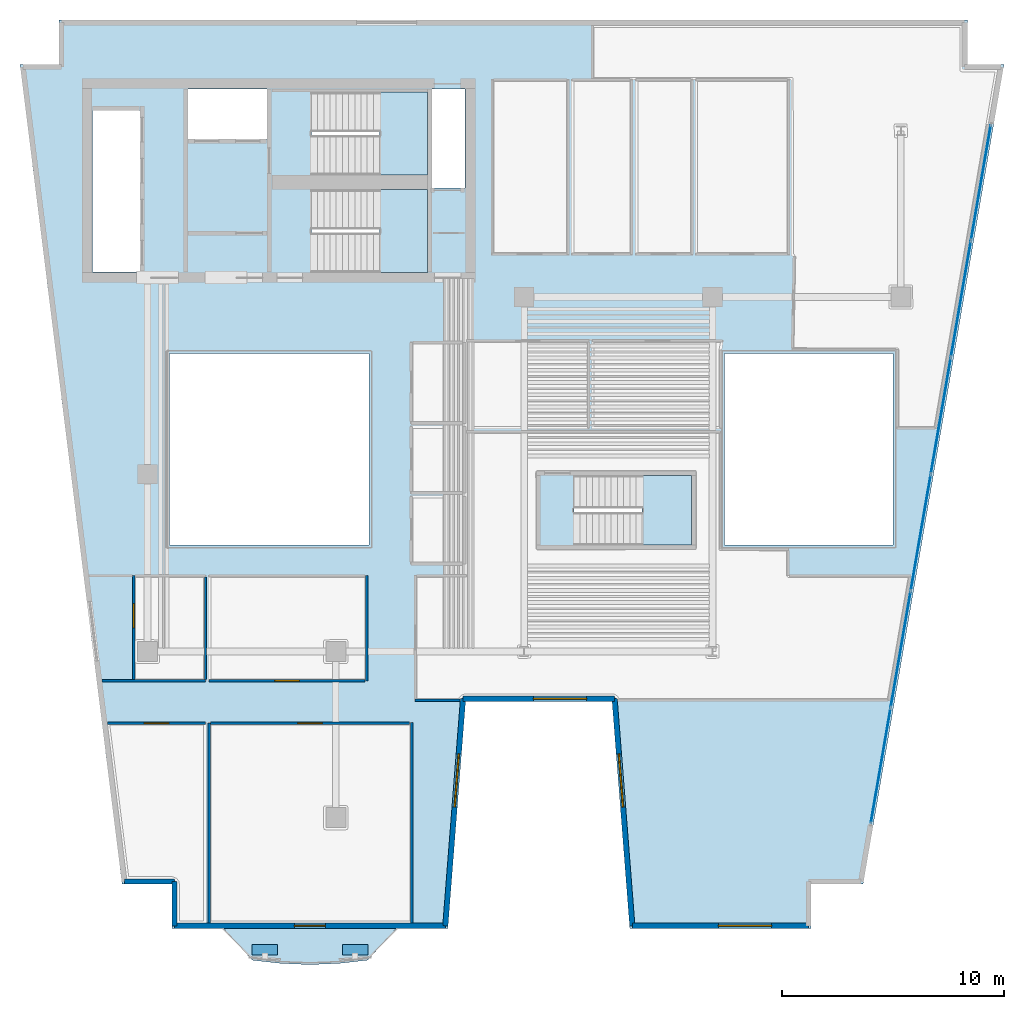
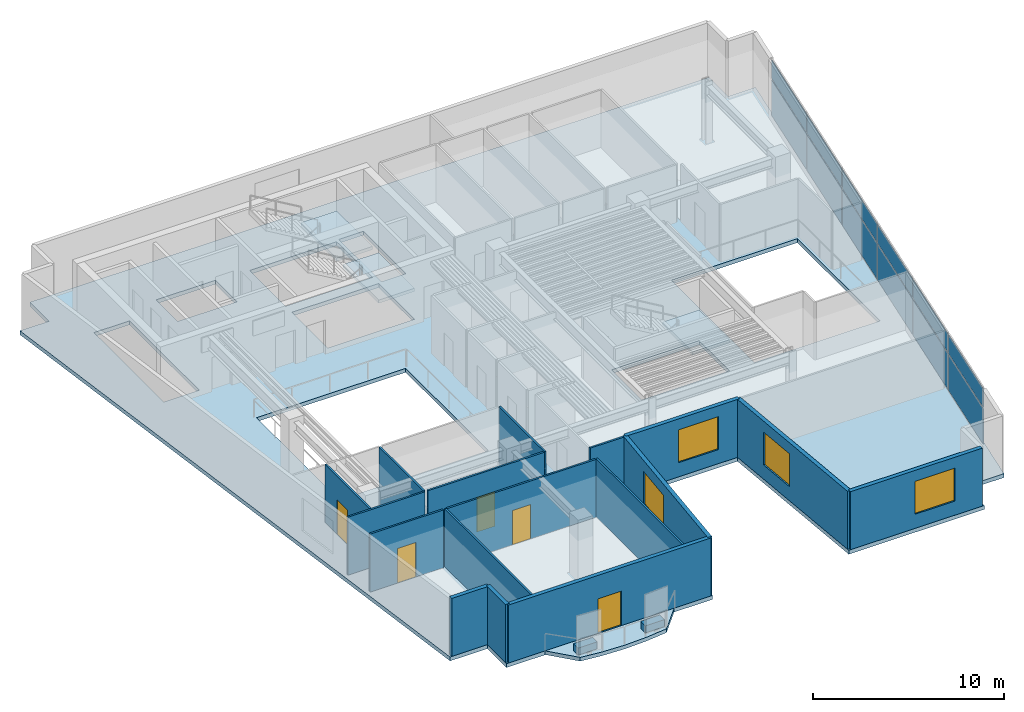
# One storey, part 3 of 9: 17 walls, 14 plates, 5 doors, 5 slabs, 4 windows, 9 openings, 4 elements without a shape of their own.
"""IFC4 building model written with IfcOpenShell, lengths in metres."""

from ifc_helpers import new_model, si_unit, direction, frame, frame_2d, origin, origin_2d, place, context, subcontext, project, spatial, polyline, rectangle, outline, extrude, material, layer, layer_set, type_object, element, fill, aggregate, save


model = new_model("IFC4")

# Units and contexts
model_context = context("Model", 3, precision=1e-05, world=origin(), true_north=direction((0.0, 1.0)))
body_context = subcontext(model_context, "Body", "Model", "MODEL_VIEW")
ifc_project = project(units=[si_unit("LENGTHUNIT", "METRE"), si_unit("AREAUNIT", "SQUARE_METRE"), si_unit("VOLUMEUNIT", "CUBIC_METRE"), si_unit("PLANEANGLEUNIT", "RADIAN"), si_unit("MASSUNIT", "GRAM", prefix="KILO")], contexts=[model_context])

# Site, building, storey
site_placement = place(None, origin())
site = spatial("IfcSite", under=ifc_project, at=site_placement, CompositionType="ELEMENT")
building_placement = place(site_placement, origin())
building = spatial("IfcBuilding", under=site, at=building_placement, Name="Caeloran Harvest Quay", CompositionType="ELEMENT")
storey_placement = place(building_placement, frame((0.0, 0.0, 211.39990234375)))
storey = spatial("IfcBuildingStorey", under=building, at=storey_placement, Name="L50", CompositionType="ELEMENT", Elevation=211.39990234375)

# Slab
ifc_material_1 = material(Name="Concrete C50/60", Category="concrete")
ifc_layer_1 = layer(ifc_material_1, 0.239990234375, Name="Concrete C50/60")
ifc_layer_set_1 = layer_set([ifc_layer_1], Name="Concrete C50/60")
slab_type_1 = type_object("IfcSlabType", Name="BALCONY-BL-240", PredefinedType="FLOOR", material=ifc_layer_set_1)
slab_1_placement = place(storey_placement, frame((0.0, 0.0, -0.239990234375)))
element("IfcSlab", 1, at=slab_1_placement, inside=storey, type_object=slab_type_1, Name="L50 Scalloped Cantilevered Planted Balcony Slab", PredefinedType="FLOOR", context=body_context, shape_type="SweptSolid", body=[
    extrude(outline(polyline([(18.442138671875, 1.070068359375), (17.13818359375, 0.923583984375), (15.83447265625, 0.8701171875), (14.53076171875, 0.923583984375), (13.226806640625, 1.070068359375), (11.94091796875, 2.5), (19.72802734375, 2.5), (18.442138671875, 1.070068359375)])), origin(), (0.0, 0.0, 1.0), 0.239990234375),
])

# Curtain wall, plates
ifc_material_2 = material(Name="Aluminium 6063-T6 and Low-E Glazing", Category="aluminium")
ifc_layer_2 = layer(ifc_material_2, 0.2099609375, Name="Aluminium 6063-T6 and Low-E Glazing")
ifc_layer_set_2 = layer_set([ifc_layer_2], Name="Aluminium 6063-T6 and Low-E Glazing")
curtain_wall_type = type_object("IfcCurtainWallType", Name="CW-SYS-CW-4", PredefinedType="USERDEFINED", material=ifc_layer_set_2)
curtain_wall_placement = place(storey_placement, origin())
curtain_wall = element("IfcCurtainWall", 2, at=curtain_wall_placement, inside=storey, type_object=curtain_wall_type, Name="L50 Unitised Curtain Wall CW-4 Run 9", ObjectType="CURTAIN_WALL", PredefinedType="USERDEFINED")
ifc_material_3 = material(Name="Low-E Double Glazed Vision Glass Unit", Category="glass")
ifc_layer_3 = layer(ifc_material_3, 0.035888671875, Name="Low-E Double Glazed Vision Glass Unit")
ifc_layer_set_3 = layer_set([ifc_layer_3], Name="Low-E Double Glazed Vision Glass Unit")
plate_type_1 = type_object("IfcPlateType", Name="CW-VISION-PANEL", PredefinedType="CURTAIN_PANEL", material=ifc_layer_set_3)
plate_1_placement = place(storey_placement, frame((46.116943359375, 36.16162109375, 0.080078125), z_axis=(0.0, 0.0, 1.0), x_axis=(-0.169391215605, -0.985548890759, 0.0)))
plate_1 = element("IfcPlate", 3, at=plate_1_placement, type_object=plate_type_1, Name="CW-4 panel 1.1", PredefinedType="CURTAIN_PANEL", context=body_context, shape_type="SweptSolid", body=[
    extrude(rectangle(XDim=5.229736328125, YDim=0.035888671875, at=origin_2d()), origin(), (0.0, 0.0, 1.0), 2.280029296875),
])
plate_2_placement = place(storey_placement, frame((46.116943359375, 36.16162109375, 2.43994140625), z_axis=(0.0, 0.0, 1.0), x_axis=(-0.169391215605, -0.985548890759, 0.0)))
plate_2 = element("IfcPlate", 4, at=plate_2_placement, type_object=plate_type_1, Name="CW-4 panel 1.2", PredefinedType="CURTAIN_PANEL", context=body_context, shape_type="SweptSolid", body=[
    extrude(rectangle(XDim=5.229736328125, YDim=0.035888671875, at=origin_2d()), origin(), (0.0, 0.0, 1.0), 1.179931640625),
])
plate_3_placement = place(storey_placement, frame((45.214111328125, 30.90869140625, 0.080078125), z_axis=(0.0, 0.0, 1.0), x_axis=(-0.169391215605, -0.985548890759, 0.0)))
plate_3 = element("IfcPlate", 5, at=plate_3_placement, type_object=plate_type_1, Name="CW-4 panel 2.1", PredefinedType="CURTAIN_PANEL", context=body_context, shape_type="SweptSolid", body=[
    extrude(rectangle(XDim=5.269775390625, YDim=0.035888671875, at=origin_2d()), origin(), (0.0, 0.0, 1.0), 2.280029296875),
])
plate_4_placement = place(storey_placement, frame((45.214111328125, 30.90869140625, 2.43994140625), z_axis=(0.0, 0.0, 1.0), x_axis=(-0.169391215605, -0.985548890759, 0.0)))
plate_4 = element("IfcPlate", 6, at=plate_4_placement, type_object=plate_type_1, Name="CW-4 panel 2.2", PredefinedType="CURTAIN_PANEL", context=body_context, shape_type="SweptSolid", body=[
    extrude(rectangle(XDim=5.269775390625, YDim=0.035888671875, at=origin_2d()), origin(), (0.0, 0.0, 1.0), 1.179931640625),
])
plate_5_placement = place(storey_placement, frame((44.307861328125, 25.63623046875, 0.080078125), z_axis=(0.0, 0.0, 1.0), x_axis=(-0.169391215605, -0.985548890759, 0.0)))
plate_5 = element("IfcPlate", 7, at=plate_5_placement, type_object=plate_type_1, Name="CW-4 panel 3.1", PredefinedType="CURTAIN_PANEL", context=body_context, shape_type="SweptSolid", body=[
    extrude(rectangle(XDim=5.269775390625, YDim=0.035888671875, at=origin_2d()), origin(), (0.0, 0.0, 1.0), 2.280029296875),
])
plate_6_placement = place(storey_placement, frame((44.307861328125, 25.63623046875, 2.43994140625), z_axis=(0.0, 0.0, 1.0), x_axis=(-0.169391215605, -0.985548890759, 0.0)))
plate_6 = element("IfcPlate", 8, at=plate_6_placement, type_object=plate_type_1, Name="CW-4 panel 3.2", PredefinedType="CURTAIN_PANEL", context=body_context, shape_type="SweptSolid", body=[
    extrude(rectangle(XDim=5.269775390625, YDim=0.035888671875, at=origin_2d()), origin(), (0.0, 0.0, 1.0), 1.179931640625),
])
plate_7_placement = place(storey_placement, frame((43.401611328125, 20.36376953125, 0.080078125), z_axis=(0.0, 0.0, 1.0), x_axis=(-0.169391215605, -0.985548890759, 0.0)))
plate_7 = element("IfcPlate", 9, at=plate_7_placement, type_object=plate_type_1, Name="CW-4 panel 4.1", PredefinedType="CURTAIN_PANEL", context=body_context, shape_type="SweptSolid", body=[
    extrude(rectangle(XDim=5.269775390625, YDim=0.035888671875, at=origin_2d()), origin(), (0.0, 0.0, 1.0), 2.280029296875),
])
plate_8_placement = place(storey_placement, frame((43.401611328125, 20.36376953125, 2.43994140625), z_axis=(0.0, 0.0, 1.0), x_axis=(-0.169391215605, -0.985548890759, 0.0)))
plate_8 = element("IfcPlate", 10, at=plate_8_placement, type_object=plate_type_1, Name="CW-4 panel 4.2", PredefinedType="CURTAIN_PANEL", context=body_context, shape_type="SweptSolid", body=[
    extrude(rectangle(XDim=5.269775390625, YDim=0.035888671875, at=origin_2d()), origin(), (0.0, 0.0, 1.0), 1.179931640625),
])
plate_9_placement = place(storey_placement, frame((42.495361328125, 15.09130859375, 0.080078125), z_axis=(0.0, 0.0, 1.0), x_axis=(-0.169391215605, -0.985548890759, 0.0)))
plate_9 = element("IfcPlate", 11, at=plate_9_placement, type_object=plate_type_1, Name="CW-4 panel 5.1", PredefinedType="CURTAIN_PANEL", context=body_context, shape_type="SweptSolid", body=[
    extrude(rectangle(XDim=5.269775390625, YDim=0.035888671875, at=origin_2d()), origin(), (0.0, 0.0, 1.0), 2.280029296875),
])
plate_10_placement = place(storey_placement, frame((42.495361328125, 15.09130859375, 2.43994140625), z_axis=(0.0, 0.0, 1.0), x_axis=(-0.169391215605, -0.985548890759, 0.0)))
plate_10 = element("IfcPlate", 12, at=plate_10_placement, type_object=plate_type_1, Name="CW-4 panel 5.2", PredefinedType="CURTAIN_PANEL", context=body_context, shape_type="SweptSolid", body=[
    extrude(rectangle(XDim=5.269775390625, YDim=0.035888671875, at=origin_2d()), origin(), (0.0, 0.0, 1.0), 1.179931640625),
])
plate_11_placement = place(storey_placement, frame((41.592529296875, 9.83837890625, 0.080078125), z_axis=(0.0, 0.0, 1.0), x_axis=(-0.169391215605, -0.985548890759, 0.0)))
plate_11 = element("IfcPlate", 13, at=plate_11_placement, type_object=plate_type_1, Name="CW-4 panel 6.1", PredefinedType="CURTAIN_PANEL", context=body_context, shape_type="SweptSolid", body=[
    extrude(rectangle(XDim=5.229736328125, YDim=0.035888671875, at=origin_2d()), origin(), (0.0, 0.0, 1.0), 2.280029296875),
])
plate_12_placement = place(storey_placement, frame((41.592529296875, 9.83837890625, 2.43994140625), z_axis=(0.0, 0.0, 1.0), x_axis=(-0.169391215605, -0.985548890759, 0.0)))
plate_12 = element("IfcPlate", 14, at=plate_12_placement, type_object=plate_type_1, Name="CW-4 panel 6.2", PredefinedType="CURTAIN_PANEL", context=body_context, shape_type="SweptSolid", body=[
    extrude(rectangle(XDim=5.229736328125, YDim=0.035888671875, at=origin_2d()), origin(), (0.0, 0.0, 1.0), 1.179931640625),
])
aggregate(curtain_wall, [plate_1, plate_2, plate_3, plate_4, plate_5, plate_6, plate_7, plate_8, plate_9, plate_10, plate_11, plate_12])

# Plates
ifc_material_4 = material(Name="Precast concrete C50/60", Category="concrete")
ifc_layer_4 = layer(ifc_material_4, 0.449951171875, Name="Precast concrete C50/60")
ifc_layer_set_4 = layer_set([ifc_layer_4], Name="Precast concrete C50/60")
plate_type_2 = type_object("IfcPlateType", Name="PLANTER-TROUGH-450", PredefinedType="USERDEFINED", material=ifc_layer_set_4)
for number, where, z_axis, x_axis, name in (
    (15, (17.868408203125, 1.534912109375, 0.0), (0.0, 0.0, 1.0), (1.0, 0.0, 0.0), "L50 Balcony Vertical-Greenery Precast PLANTER Trough 1"),
    (16, (13.800537109375, 1.534912109375, 0.0), (0.0, 0.0, 1.0), (1.0, 0.0, 0.0), "L50 Balcony Vertical-Greenery Precast PLANTER Trough 2"),
):
    element("IfcPlate", number, at=place(storey_placement, frame(where, z_axis=z_axis, x_axis=x_axis)), inside=storey, type_object=plate_type_2, Name=name, ObjectType="PLANTER", PredefinedType="USERDEFINED", context=body_context, shape_type="SweptSolid", body=[
        extrude(rectangle(XDim=1.14990234375, YDim=0.47998046875, at=origin_2d()), origin(), (0.0, 0.0, 1.0), 0.449951171875),
    ])

# Slab
ifc_layer_5 = layer(ifc_material_1, 0.25, Name="Concrete C50/60")
ifc_layer_set_5 = layer_set([ifc_layer_5], Name="Concrete C50/60")
slab_type_2 = type_object("IfcSlabType", Name="SLAB-FS-250", PredefinedType="FLOOR", material=ifc_layer_set_5)
slab_2_placement = place(storey_placement, frame((0.0, 0.0, -0.25)))
element("IfcSlab", 17, at=slab_2_placement, inside=storey, type_object=slab_type_2, Name="L50 Structural Floor Slab", PredefinedType="FLOOR", context=body_context, shape_type="SweptSolid", body=[
    extrude(outline(polyline([(9.60302734375, 2.5), (22.056884765625, 2.5), (22.85693359375, 12.75), (29.469482421875, 12.75), (30.26953125, 2.5), (38.452880859375, 2.5), (38.452880859375, 4.5), (40.796875, 4.5), (47.15625, 41.5), (45.5, 41.5), (45.5, 43.5), (4.5, 43.5), (4.5, 41.5), (2.748779296875, 41.5), (7.35400390625, 4.5), (9.60302734375, 4.5), (9.60302734375, 2.5)]), holes=[polyline([(27.75, 19.800048828125), (27.75, 22.949951171875), (33.050048828125, 22.949951171875), (33.050048828125, 19.800048828125), (27.75, 19.800048828125)]), polyline([(18.5, 19.800048828125), (9.5, 19.800048828125), (9.5, 28.449951171875), (18.5, 28.449951171875), (18.5, 19.800048828125)]), polyline([(42.14990234375, 19.800048828125), (34.550048828125, 19.800048828125), (34.550048828125, 28.449951171875), (42.14990234375, 28.449951171875), (42.14990234375, 19.800048828125)]), polyline([(15.89990234375, 32.10009765625), (15.89990234375, 35.85009765625), (21.14990234375, 35.85009765625), (21.14990234375, 32.10009765625), (15.89990234375, 32.10009765625)]), polyline([(8.159912109375, 32.1201171875), (6.02001953125, 32.1201171875), (6.02001953125, 39.419921875), (8.159912109375, 39.419921875), (8.159912109375, 32.1201171875)]), polyline([(22.830078125, 35.919921875), (21.35009765625, 35.919921875), (21.35009765625, 40.3798828125), (22.830078125, 40.3798828125), (22.830078125, 35.919921875)]), polyline([(15.89990234375, 36.5), (15.89990234375, 40.25), (21.14990234375, 40.25), (21.14990234375, 36.5), (15.89990234375, 36.5)]), polyline([(13.89990234375, 38.1201171875), (10.320068359375, 38.1201171875), (10.320068359375, 40.3798828125), (13.89990234375, 40.3798828125), (13.89990234375, 38.1201171875)])]), origin(), (0.0, 0.0, 1.0), 0.25),
])

# Stair, slab
stair_type_1 = type_object("IfcStairType", Name="STAIR-STC-180", PredefinedType="HALF_TURN_STAIR", material=ifc_material_1)
stair_1_placement = place(storey_placement, origin())
stair_1 = element("IfcStair", 18, at=stair_1_placement, inside=storey, type_object=stair_type_1, Name="L50 Core Pressurized Exit Stair ST-C1", PredefinedType="HALF_TURN_STAIR")
ifc_layer_6 = layer(ifc_material_1, 0.219970703125, Name="Concrete C50/60")
ifc_layer_set_6 = layer_set([ifc_layer_6], Name="Concrete C50/60")
slab_type_3 = type_object("IfcSlabType", Name="STAIR-LANDING-220", PredefinedType="LANDING", material=ifc_layer_set_6)
slab_3_placement = place(storey_placement, frame((0.0, 0.0, 1.775146484375)))
slab_3 = element("IfcSlab", 19, at=slab_3_placement, type_object=slab_type_3, Name="ST-C1 landing 1", PredefinedType="LANDING", context=body_context, shape_type="SweptSolid", body=[
    extrude(outline(polyline([(18.97998046875, 36.5), (21.14990234375, 36.5), (21.14990234375, 40.25), (18.97998046875, 40.25), (18.97998046875, 36.5)])), origin(), (0.0, 0.0, 1.0), 0.199951171875),
])
aggregate(stair_1, [slab_3])

stair_2_placement = place(storey_placement, origin())
stair_2 = element("IfcStair", 20, at=stair_2_placement, inside=storey, type_object=stair_type_1, Name="L50 Core Pressurized Exit Stair ST-C2", PredefinedType="HALF_TURN_STAIR")
slab_4_placement = place(storey_placement, frame((0.0, 0.0, 1.775146484375)))
slab_4 = element("IfcSlab", 21, at=slab_4_placement, type_object=slab_type_3, Name="ST-C2 landing 1", PredefinedType="LANDING", context=body_context, shape_type="SweptSolid", body=[
    extrude(outline(polyline([(18.97998046875, 32.10009765625), (21.14990234375, 32.10009765625), (21.14990234375, 35.85009765625), (18.97998046875, 35.85009765625), (18.97998046875, 32.10009765625)])), origin(), (0.0, 0.0, 1.0), 0.199951171875),
])
aggregate(stair_2, [slab_4])

stair_type_2 = type_object("IfcStairType", Name="STAIR-STW-150", PredefinedType="HALF_TURN_STAIR", material=ifc_material_1)
stair_3_placement = place(storey_placement, origin())
stair_3 = element("IfcStair", 22, at=stair_3_placement, inside=storey, type_object=stair_type_2, Name="L50 East Wing Protected Exit Stair ST-W1", PredefinedType="HALF_TURN_STAIR")
slab_5_placement = place(storey_placement, frame((0.0, 0.0, 1.775146484375)))
slab_5 = element("IfcSlab", 23, at=slab_5_placement, type_object=slab_type_3, Name="ST-W1 landing 1", PredefinedType="LANDING", context=body_context, shape_type="SweptSolid", body=[
    extrude(outline(polyline([(30.830078125, 19.800048828125), (33.050048828125, 19.800048828125), (33.050048828125, 22.949951171875), (30.830078125, 22.949951171875), (30.830078125, 19.800048828125)])), origin(), (0.0, 0.0, 1.0), 0.199951171875),
])
aggregate(stair_3, [slab_5])

# Walls
ifc_layer_7 = layer(ifc_material_4, 0.239990234375, Name="Precast concrete C50/60")
ifc_layer_set_7 = layer_set([ifc_layer_7], Name="Precast concrete C50/60")
wall_type_1 = type_object("IfcWallType", Name="ENV-WALL-EW-240", PredefinedType="STANDARD", material=ifc_layer_set_7)
wall_1_placement = place(storey_placement, frame((9.722900390625, 2.6201171875, 0.0), z_axis=(0.0, 0.0, 1.0), x_axis=(0.0, 1.0, 0.0)))
element("IfcWall", 24, at=wall_1_placement, inside=storey, type_object=wall_type_1, Name="L50 Exterior Precast Concrete Facade Wall 1", PredefinedType="STANDARD", context=body_context, shape_type="SweptSolid", body=[
    extrude(rectangle(XDim=2.0, YDim=0.239990234375, at=frame_2d((1.0, 0.0))), origin(), (0.0, 0.0, 1.0), 3.7001953125),
])
wall_2_placement = place(storey_placement, frame((9.722900390625, 4.6201171875, 0.0), z_axis=(0.0, 0.0, 1.0), x_axis=(-1.0, 0.0, 0.0)))
element("IfcWall", 25, at=wall_2_placement, inside=storey, type_object=wall_type_1, Name="L50 Exterior Precast Concrete Facade Wall 2", PredefinedType="STANDARD", context=body_context, shape_type="SweptSolid", body=[
    extrude(rectangle(XDim=2.2626953125, YDim=0.239990234375, at=frame_2d((1.13134765625, 0.0))), origin(), (0.0, 0.0, 1.0), 3.7001953125),
])

# Wall, opening, window
wall_3_placement = place(storey_placement, frame((38.3330078125, 2.6201171875, 0.0), z_axis=(0.0, 0.0, 1.0), x_axis=(-1.0, 0.0, 0.0)))
wall_3 = element("IfcWall", 26, at=wall_3_placement, inside=storey, type_object=wall_type_1, Name="L50 Exterior Precast Concrete Facade Wall 12", PredefinedType="STANDARD", context=body_context, shape_type="SweptSolid", body=[
    extrude(rectangle(XDim=7.952392578125, YDim=0.239990234375, at=frame_2d((3.97607421875, 0.0))), origin(), (0.0, 0.0, 1.0), 3.7001953125),
])
opening_1_placement = place(wall_3_placement, frame((1.6630859375, 0.0, 0.89990234375)))
opening_1 = element("IfcOpeningElement", 27, at=opening_1_placement, cuts=wall_3, Name="Opening W-02", PredefinedType="OPENING", context=body_context, shape_type="SweptSolid", body=[
    extrude(rectangle(XDim=2.39990234375, YDim=2.10009765625, at=frame_2d((1.199951171875, 1.050048828125))), frame((0.0, 0.1298828125, 0.0), z_axis=(0.0, -1.0, 0.0), x_axis=(1.0, 0.0, 0.0)), (0.0, 0.0, 1.0), 0.260009765625),
])
ifc_material_5 = material(Name="Aluminium-Framed Low-E Laminated Glass", Category="aluminium")
window_type = type_object("IfcWindowType", Name="WIN-W-02", PartitioningType="DOUBLE_PANEL_VERTICAL", PredefinedType="WINDOW", material=ifc_material_5)
window_1_placement = place(opening_1_placement, origin())
window_1 = element("IfcWindow", 28, at=window_1_placement, inside=storey, type_object=window_type, Name="L50 Facade Punched Window W-02", OverallHeight=2.10009765625, OverallWidth=2.39990234375, PartitioningType="DOUBLE_PANEL_VERTICAL", PredefinedType="WINDOW", context=body_context, shape_type="SweptSolid", body=[
    extrude(rectangle(XDim=2.39990234375, YDim=2.10009765625, at=frame_2d((1.199951171875, 1.050048828125))), frame((0.0, 0.030029296875, 0.0), z_axis=(0.0, -1.0, 0.0), x_axis=(1.0, 0.0, 0.0)), (0.0, 0.0, 1.0), 0.06005859375),
])
fill(opening_1, window_1)

wall_4_placement = place(storey_placement, frame((30.380615234375, 2.6201171875, 0.0), z_axis=(0.0, 0.0, 1.0), x_axis=(-0.077816860153, 0.996967670627, 0.0)))
wall_4 = element("IfcWall", 29, at=wall_4_placement, inside=storey, type_object=wall_type_1, Name="L50 Exterior Precast Concrete Facade Wall 13", PredefinedType="STANDARD", context=body_context, shape_type="SweptSolid", body=[
    extrude(rectangle(XDim=10.28125, YDim=0.239990234375, at=frame_2d((5.140625, 0.0))), origin(), (0.0, 0.0, 1.0), 3.7001953125),
])
opening_2_placement = place(wall_4_placement, frame((5.3798828125, 0.0, 0.89990234375)))
opening_2 = element("IfcOpeningElement", 30, at=opening_2_placement, cuts=wall_4, Name="Opening W-02", PredefinedType="OPENING", context=body_context, shape_type="SweptSolid", body=[
    extrude(rectangle(XDim=2.39990234375, YDim=2.10009765625, at=frame_2d((1.199951171875, 1.050048828125))), frame((0.0, 0.1298828125, 0.0), z_axis=(0.0, -1.0, 0.0), x_axis=(1.0, 0.0, 0.0)), (0.0, 0.0, 1.0), 0.260009765625),
])
window_2_placement = place(opening_2_placement, origin())
window_2 = element("IfcWindow", 31, at=window_2_placement, inside=storey, type_object=window_type, Name="L50 Facade Punched Window W-02", OverallHeight=2.10009765625, OverallWidth=2.39990234375, PartitioningType="DOUBLE_PANEL_VERTICAL", PredefinedType="WINDOW", context=body_context, shape_type="SweptSolid", body=[
    extrude(rectangle(XDim=2.39990234375, YDim=2.10009765625, at=frame_2d((1.199951171875, 1.050048828125))), frame((0.0, 0.030029296875, 0.0), z_axis=(0.0, -1.0, 0.0), x_axis=(1.0, 0.0, 0.0)), (0.0, 0.0, 1.0), 0.06005859375),
])
fill(opening_2, window_2)

wall_5_placement = place(storey_placement, frame((29.58056640625, 12.8701171875, 0.0), z_axis=(0.0, 0.0, 1.0), x_axis=(-1.0, 0.0, 0.0)))
wall_5 = element("IfcWall", 32, at=wall_5_placement, inside=storey, type_object=wall_type_1, Name="L50 Exterior Precast Concrete Facade Wall 14", PredefinedType="STANDARD", context=body_context, shape_type="SweptSolid", body=[
    extrude(rectangle(XDim=6.83447265625, YDim=0.239990234375, at=frame_2d((3.417236328125, 0.0))), origin(), (0.0, 0.0, 1.0), 3.7001953125),
])
opening_3_placement = place(wall_5_placement, frame((1.260009765625, 0.0, 0.89990234375)))
opening_3 = element("IfcOpeningElement", 33, at=opening_3_placement, cuts=wall_5, Name="Opening W-02", PredefinedType="OPENING", context=body_context, shape_type="SweptSolid", body=[
    extrude(rectangle(XDim=2.39990234375, YDim=2.10009765625, at=frame_2d((1.199951171875, 1.050048828125))), frame((0.0, 0.1298828125, 0.0), z_axis=(0.0, -1.0, 0.0), x_axis=(1.0, 0.0, 0.0)), (0.0, 0.0, 1.0), 0.260009765625),
])
window_3_placement = place(opening_3_placement, origin())
window_3 = element("IfcWindow", 34, at=window_3_placement, inside=storey, type_object=window_type, Name="L50 Facade Punched Window W-02", OverallHeight=2.10009765625, OverallWidth=2.39990234375, PartitioningType="DOUBLE_PANEL_VERTICAL", PredefinedType="WINDOW", context=body_context, shape_type="SweptSolid", body=[
    extrude(rectangle(XDim=2.39990234375, YDim=2.10009765625, at=frame_2d((1.199951171875, 1.050048828125))), frame((0.0, 0.030029296875, 0.0), z_axis=(0.0, -1.0, 0.0), x_axis=(1.0, 0.0, 0.0)), (0.0, 0.0, 1.0), 0.06005859375),
])
fill(opening_3, window_3)

wall_6_placement = place(storey_placement, frame((22.74609375, 12.8701171875, 0.0), z_axis=(0.0, 0.0, 1.0), x_axis=(-0.077816860153, -0.996967670627, 0.0)))
wall_6 = element("IfcWall", 35, at=wall_6_placement, inside=storey, type_object=wall_type_1, Name="L50 Exterior Precast Concrete Facade Wall 15", PredefinedType="STANDARD", context=body_context, shape_type="SweptSolid", body=[
    extrude(rectangle(XDim=10.28125, YDim=0.239990234375, at=frame_2d((5.140625, 0.0))), origin(), (0.0, 0.0, 1.0), 3.7001953125),
])
opening_4_placement = place(wall_6_placement, frame((2.5009765625, 0.0, 0.89990234375)))
opening_4 = element("IfcOpeningElement", 36, at=opening_4_placement, cuts=wall_6, Name="Opening W-02", PredefinedType="OPENING", context=body_context, shape_type="SweptSolid", body=[
    extrude(rectangle(XDim=2.39990234375, YDim=2.10009765625, at=frame_2d((1.199951171875, 1.050048828125))), frame((0.0, 0.1298828125, 0.0), z_axis=(0.0, -1.0, 0.0), x_axis=(1.0, 0.0, 0.0)), (0.0, 0.0, 1.0), 0.260009765625),
])
window_4_placement = place(opening_4_placement, origin())
window_4 = element("IfcWindow", 37, at=window_4_placement, inside=storey, type_object=window_type, Name="L50 Facade Punched Window W-02", OverallHeight=2.10009765625, OverallWidth=2.39990234375, PartitioningType="DOUBLE_PANEL_VERTICAL", PredefinedType="WINDOW", context=body_context, shape_type="SweptSolid", body=[
    extrude(rectangle(XDim=2.39990234375, YDim=2.10009765625, at=frame_2d((1.199951171875, 1.050048828125))), frame((0.0, 0.030029296875, 0.0), z_axis=(0.0, -1.0, 0.0), x_axis=(1.0, 0.0, 0.0)), (0.0, 0.0, 1.0), 0.06005859375),
])
fill(opening_4, window_4)

# Wall, opening, door
wall_7_placement = place(storey_placement, frame((21.946044921875, 2.6201171875, 0.0), z_axis=(0.0, 0.0, 1.0), x_axis=(-1.0, 0.0, 0.0)))
wall_7 = element("IfcWall", 38, at=wall_7_placement, inside=storey, type_object=wall_type_1, Name="L50 Exterior Precast Concrete Facade Wall 16", PredefinedType="STANDARD", context=body_context, shape_type="SweptSolid", body=[
    extrude(rectangle(XDim=12.22314453125, YDim=0.239990234375, at=frame_2d((6.111572265625, 0.0))), origin(), (0.0, 0.0, 1.0), 3.7001953125),
])
opening_5_placement = place(wall_7_placement, frame((5.410888671875, 0.0, 0.0)))
opening_5 = element("IfcOpeningElement", 39, at=opening_5_placement, cuts=wall_7, Name="Opening BD-02", PredefinedType="OPENING", context=body_context, shape_type="SweptSolid", body=[
    extrude(rectangle(XDim=1.39990234375, YDim=2.199951171875, at=frame_2d((0.699951171875, 1.10009765625))), frame((0.0, 0.1298828125, 0.0), z_axis=(0.0, -1.0, 0.0), x_axis=(1.0, 0.0, 0.0)), (0.0, 0.0, 1.0), 0.260009765625),
])
ifc_material_6 = material(Name="Thermally Broken Powder-Coated Aluminium and Safety Glass", Category="aluminium")
door_type_1 = type_object("IfcDoorType", Name="EXTDOOR-BD-02", OperationType="NOTDEFINED", PredefinedType="DOOR", material=ifc_material_6)
door_1_placement = place(opening_5_placement, origin())
door_1 = element("IfcDoor", 40, at=door_1_placement, inside=storey, type_object=door_type_1, Name="L50 Planted Balcony Glazed Access Door", OperationType="SINGLE_SWING_LEFT", OverallHeight=2.199951171875, OverallWidth=1.39990234375, PredefinedType="DOOR", context=body_context, shape_type="SweptSolid", body=[
    extrude(rectangle(XDim=1.39990234375, YDim=2.199951171875, at=frame_2d((0.699951171875, 1.10009765625))), frame((0.0, 0.02490234375, 0.0), z_axis=(0.0, -1.0, 0.0), x_axis=(1.0, 0.0, 0.0)), (0.0, 0.0, 1.0), 0.050048828125),
])
fill(opening_5, door_1)

# Wall
ifc_material_7 = material(Name="Single-Stud Acoustic Gypsum Office Partition", Category="gypsum")
ifc_layer_8 = layer(ifc_material_7, 0.112060546875, Name="Single-Stud Acoustic Gypsum Office Partition")
ifc_layer_set_8 = layer_set([ifc_layer_8], Name="Single-Stud Acoustic Gypsum Office Partition")
wall_type_2 = type_object("IfcWallType", Name="INT-WALL-PW-112", PredefinedType="PARTITIONING", material=ifc_layer_set_8)
wall_8_placement = place(storey_placement, frame((11.280029296875, 2.7451171875, 0.0), z_axis=(0.0, 0.0, 1.0), x_axis=(0.0, 1.0, 0.0)))
element("IfcWall", 41, at=wall_8_placement, inside=storey, type_object=wall_type_2, Name="Food-Security Culinary Kitchen Partition Wall", PredefinedType="PARTITIONING", context=body_context, shape_type="SweptSolid", body=[
    extrude(rectangle(XDim=9.02490234375, YDim=0.112060546875, at=frame_2d((4.512451171875, 0.0))), origin(), (0.0, 0.0, 1.0), 3.7001953125),
])

# Wall, opening, door
wall_9_placement = place(storey_placement, frame((11.341064453125, 11.77001953125, 0.0), z_axis=(0.0, 0.0, 1.0), x_axis=(1.0, 0.0, 0.0)))
wall_9 = element("IfcWall", 42, at=wall_9_placement, inside=storey, type_object=wall_type_2, Name="Food-Security Culinary Kitchen Partition Wall", PredefinedType="PARTITIONING", context=body_context, shape_type="SweptSolid", body=[
    extrude(rectangle(XDim=8.97900390625, YDim=0.112060546875, at=frame_2d((4.489501953125, 0.0))), origin(), (0.0, 0.0, 1.0), 3.7001953125),
])
opening_6_placement = place(wall_9_placement, frame((3.939453125, 0.0, 0.0)))
opening_6 = element("IfcOpeningElement", 43, at=opening_6_placement, cuts=wall_9, Name="Opening ID-04", PredefinedType="OPENING", context=body_context, shape_type="SweptSolid", body=[
    extrude(rectangle(XDim=1.10009765625, YDim=2.199951171875, at=frame_2d((0.550048828125, 1.10009765625))), frame((0.0, 0.06591796875, 0.0), z_axis=(0.0, -1.0, 0.0), x_axis=(1.0, 0.0, 0.0)), (0.0, 0.0, 1.0), 0.132080078125),
])
ifc_material_8 = material(Name="Acoustic Walnut Veneer Executive Door", Category="wood")
door_type_2 = type_object("IfcDoorType", Name="INTDOOR-ID-04", OperationType="NOTDEFINED", PredefinedType="DOOR", material=ifc_material_8)
door_2_placement = place(opening_6_placement, origin())
door_2 = element("IfcDoor", 44, at=door_2_placement, inside=storey, type_object=door_type_2, Name="Food-Security Culinary Kitchen Access Door", OperationType="SINGLE_SWING_RIGHT", OverallHeight=2.199951171875, OverallWidth=1.10009765625, PredefinedType="DOOR", context=body_context, shape_type="SweptSolid", body=[
    extrude(rectangle(XDim=1.10009765625, YDim=2.199951171875, at=frame_2d((0.550048828125, 1.10009765625))), frame((0.0, 0.02490234375, 0.0), z_axis=(0.0, -1.0, 0.0), x_axis=(1.0, 0.0, 0.0)), (0.0, 0.0, 1.0), 0.050048828125),
])
fill(opening_6, door_2)

# Wall
wall_10_placement = place(storey_placement, frame((20.419921875, 11.7900390625, 0.0), z_axis=(0.0, 0.0, 1.0), x_axis=(0.0, -1.0, 0.0)))
element("IfcWall", 45, at=wall_10_placement, inside=storey, type_object=wall_type_2, Name="Food-Security Culinary Kitchen Partition Wall", PredefinedType="PARTITIONING", context=body_context, shape_type="SweptSolid", body=[
    extrude(rectangle(XDim=9.044921875, YDim=0.112060546875, at=frame_2d((4.5224609375, 0.0))), origin(), (0.0, 0.0, 1.0), 3.7001953125),
])

# Wall, opening, door
wall_11_placement = place(storey_placement, frame((6.696044921875, 11.77001953125, 0.0), z_axis=(0.0, 0.0, 1.0), x_axis=(1.0, 0.0, 0.0)))
wall_11 = element("IfcWall", 46, at=wall_11_placement, inside=storey, type_object=wall_type_2, Name="Policy Seminar Meeting Hall Partition Wall", PredefinedType="PARTITIONING", context=body_context, shape_type="SweptSolid", body=[
    extrude(rectangle(XDim=4.424072265625, YDim=0.112060546875, at=frame_2d((2.2119140625, 0.0))), origin(), (0.0, 0.0, 1.0), 3.7001953125),
])
opening_7_placement = place(wall_11_placement, frame((1.661865234375, 0.0, 0.0)))
opening_7 = element("IfcOpeningElement", 47, at=opening_7_placement, cuts=wall_11, Name="Opening ID-04", PredefinedType="OPENING", context=body_context, shape_type="SweptSolid", body=[
    extrude(rectangle(XDim=1.10009765625, YDim=2.199951171875, at=frame_2d((0.550048828125, 1.10009765625))), frame((0.0, 0.06591796875, 0.0), z_axis=(0.0, -1.0, 0.0), x_axis=(1.0, 0.0, 0.0)), (0.0, 0.0, 1.0), 0.132080078125),
])
door_3_placement = place(opening_7_placement, origin())
door_3 = element("IfcDoor", 48, at=door_3_placement, inside=storey, type_object=door_type_2, Name="Policy Seminar Meeting Hall Access Door", OperationType="SINGLE_SWING_LEFT", OverallHeight=2.199951171875, OverallWidth=1.10009765625, PredefinedType="DOOR", context=body_context, shape_type="SweptSolid", body=[
    extrude(rectangle(XDim=1.10009765625, YDim=2.199951171875, at=frame_2d((0.550048828125, 1.10009765625))), frame((0.0, 0.02490234375, 0.0), z_axis=(0.0, -1.0, 0.0), x_axis=(1.0, 0.0, 0.0)), (0.0, 0.0, 1.0), 0.050048828125),
])
fill(opening_7, door_3)

# Wall
wall_12_placement = place(storey_placement, frame((11.1201171875, 13.679931640625, 0.0), z_axis=(0.0, 0.0, 1.0), x_axis=(-1.0, 0.0, 0.0)))
element("IfcWall", 49, at=wall_12_placement, inside=storey, type_object=wall_type_2, Name="Econometric Wet Laboratory Partition Wall", PredefinedType="PARTITIONING", context=body_context, shape_type="SweptSolid", body=[
    extrude(rectangle(XDim=4.66162109375, YDim=0.112060546875, at=frame_2d((2.330810546875, 0.0))), origin(), (0.0, 0.0, 1.0), 3.7001953125),
])

# Wall, opening, door
wall_13_placement = place(storey_placement, frame((7.8798828125, 13.740966796875, 0.0), z_axis=(0.0, 0.0, 1.0), x_axis=(0.0, 1.0, 0.0)))
wall_13 = element("IfcWall", 50, at=wall_13_placement, inside=storey, type_object=wall_type_2, Name="Econometric Wet Laboratory Partition Wall", PredefinedType="PARTITIONING", context=body_context, shape_type="SweptSolid", body=[
    extrude(rectangle(XDim=4.678955078125, YDim=0.112060546875, at=frame_2d((2.33935546875, 0.0))), origin(), (0.0, 0.0, 1.0), 3.7001953125),
])
opening_8_placement = place(wall_13_placement, frame((2.32373046875, 0.0, 0.0)))
opening_8 = element("IfcOpeningElement", 51, at=opening_8_placement, cuts=wall_13, Name="Opening ID-04", PredefinedType="OPENING", context=body_context, shape_type="SweptSolid", body=[
    extrude(rectangle(XDim=1.10009765625, YDim=2.199951171875, at=frame_2d((0.550048828125, 1.10009765625))), frame((0.0, 0.06591796875, 0.0), z_axis=(0.0, -1.0, 0.0), x_axis=(1.0, 0.0, 0.0)), (0.0, 0.0, 1.0), 0.132080078125),
])
door_4_placement = place(opening_8_placement, origin())
door_4 = element("IfcDoor", 52, at=door_4_placement, inside=storey, type_object=door_type_2, Name="Econometric Wet Laboratory Access Door", OperationType="SINGLE_SWING_RIGHT", OverallHeight=2.199951171875, OverallWidth=1.10009765625, PredefinedType="DOOR", context=body_context, shape_type="SweptSolid", body=[
    extrude(rectangle(XDim=1.10009765625, YDim=2.199951171875, at=frame_2d((0.550048828125, 1.10009765625))), frame((0.0, 0.02490234375, 0.0), z_axis=(0.0, -1.0, 0.0), x_axis=(1.0, 0.0, 0.0)), (0.0, 0.0, 1.0), 0.050048828125),
])
fill(opening_8, door_4)

# Walls
wall_14_placement = place(storey_placement, frame((11.1201171875, 18.35888671875, 0.0), z_axis=(0.0, 0.0, 1.0), x_axis=(0.0, -1.0, 0.0)))
element("IfcWall", 53, at=wall_14_placement, inside=storey, type_object=wall_type_2, Name="Econometric Wet Laboratory Partition Wall", PredefinedType="PARTITIONING", context=body_context, shape_type="SweptSolid", body=[
    extrude(rectangle(XDim=4.617919921875, YDim=0.112060546875, at=frame_2d((2.30908203125, 0.0))), origin(), (0.0, 0.0, 1.0), 3.7001953125),
])
wall_15_placement = place(storey_placement, frame((18.389892578125, 18.419921875, 0.0), z_axis=(0.0, 0.0, 1.0), x_axis=(0.0, -1.0, 0.0)))
element("IfcWall", 54, at=wall_15_placement, inside=storey, type_object=wall_type_2, Name="Fellows Tasting Kitchen Partition Wall", PredefinedType="PARTITIONING", context=body_context, shape_type="SweptSolid", body=[
    extrude(rectangle(XDim=4.739990234375, YDim=0.112060546875, at=frame_2d((2.3701171875, 0.0))), origin(), (0.0, 0.0, 1.0), 3.7001953125),
])

# Wall, opening, door
wall_16_placement = place(storey_placement, frame((18.3291015625, 13.679931640625, 0.0), z_axis=(0.0, 0.0, 1.0), x_axis=(-1.0, 0.0, 0.0)))
wall_16 = element("IfcWall", 55, at=wall_16_placement, inside=storey, type_object=wall_type_2, Name="Fellows Tasting Kitchen Partition Wall", PredefinedType="PARTITIONING", context=body_context, shape_type="SweptSolid", body=[
    extrude(rectangle(XDim=7.049072265625, YDim=0.112060546875, at=frame_2d((3.5244140625, 0.0))), origin(), (0.0, 0.0, 1.0), 3.7001953125),
])
opening_9_placement = place(wall_16_placement, frame((2.974609375, 0.0, 0.0)))
opening_9 = element("IfcOpeningElement", 56, at=opening_9_placement, cuts=wall_16, Name="Opening ID-04", PredefinedType="OPENING", context=body_context, shape_type="SweptSolid", body=[
    extrude(rectangle(XDim=1.10009765625, YDim=2.199951171875, at=frame_2d((0.550048828125, 1.10009765625))), frame((0.0, 0.06591796875, 0.0), z_axis=(0.0, -1.0, 0.0), x_axis=(1.0, 0.0, 0.0)), (0.0, 0.0, 1.0), 0.132080078125),
])
door_5_placement = place(opening_9_placement, origin())
door_5 = element("IfcDoor", 57, at=door_5_placement, inside=storey, type_object=door_type_2, Name="Fellows Tasting Kitchen Access Door", OperationType="SINGLE_SWING_LEFT", OverallHeight=2.199951171875, OverallWidth=1.10009765625, PredefinedType="DOOR", context=body_context, shape_type="SweptSolid", body=[
    extrude(rectangle(XDim=1.10009765625, YDim=2.199951171875, at=frame_2d((0.550048828125, 1.10009765625))), frame((0.0, 0.02490234375, 0.0), z_axis=(0.0, -1.0, 0.0), x_axis=(1.0, 0.0, 0.0)), (0.0, 0.0, 1.0), 0.050048828125),
])
fill(opening_9, door_5)

# Wall
wall_17_placement = place(storey_placement, frame((22.615234375, 12.800048828125, 0.0), z_axis=(0.0, 0.0, 1.0), x_axis=(-1.0, 0.0, 0.0)))
element("IfcWall", 58, at=wall_17_placement, inside=storey, type_object=wall_type_2, Name="Roundtable Conference Room Partition Wall", PredefinedType="PARTITIONING", context=body_context, shape_type="SweptSolid", body=[
    extrude(rectangle(XDim=2.03515625, YDim=0.112060546875, at=frame_2d((1.017578125, 0.0))), origin(), (0.0, 0.0, 1.0), 3.7001953125),
])

save(model, "model.ifc")
